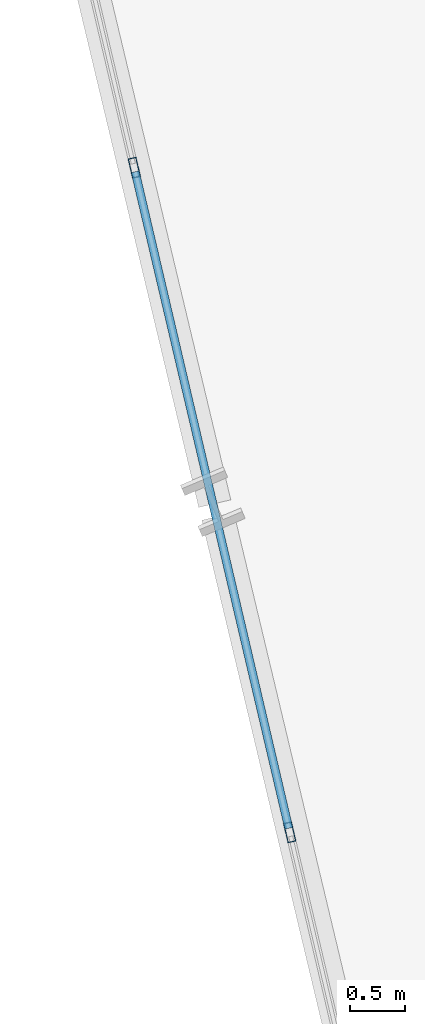
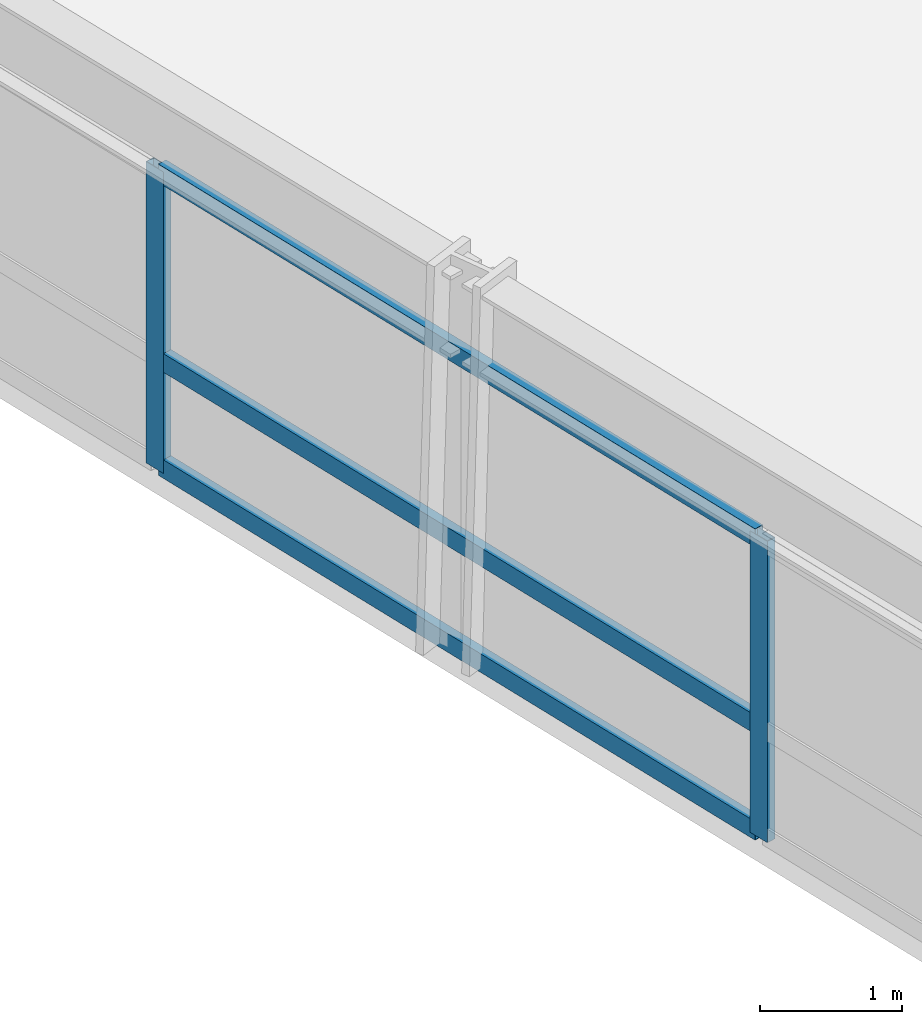
# One storey, part 4 of 24: 5 members, 1 element without a shape of its own.
"""IFC4 building model written with IfcOpenShell, lengths in metres."""

from ifc_helpers import new_model, si_unit, direction, frame, origin, origin_2d, place, context, subcontext, project, spatial, hollow_rectangle, extrude, source, transform, mapped, material, material_profile, profile_set, type_object, element, aggregate, save


model = new_model("IFC4")

# Units and contexts
model_context = context("Model", 3, precision=1e-05, world=origin(), true_north=direction((0.0, 1.0)))
body_context = subcontext(model_context, "Body", "Model", "MODEL_VIEW")
ifc_project = project(units=[si_unit("LENGTHUNIT", "METRE"), si_unit("AREAUNIT", "SQUARE_METRE"), si_unit("VOLUMEUNIT", "CUBIC_METRE"), si_unit("PLANEANGLEUNIT", "RADIAN"), si_unit("MASSUNIT", "GRAM", prefix="KILO")], contexts=[model_context])

# Site, building, storey
site_placement = place(None, origin())
site = spatial("IfcSite", under=ifc_project, at=site_placement, CompositionType="ELEMENT")
building_placement = place(site_placement, origin())
building = spatial("IfcBuilding", under=site, at=building_placement, Name="Olszyna Solenne Hotel", CompositionType="ELEMENT")
storey_placement = place(building_placement, frame((0.0, 0.0, 36.39990234375)))
storey = spatial("IfcBuildingStorey", under=building, at=storey_placement, Name="L08", CompositionType="ELEMENT", Elevation=36.39990234375)

# Curtain wall, members
ifc_material = material(Name="Anodised bronze aluminium", Category="aluminium")
curtain_wall_type = type_object("IfcCurtainWallType", Name="CW-SYS-2", PredefinedType="NOTDEFINED", material=ifc_material)
curtain_wall_placement = place(storey_placement, origin())
curtain_wall = element("IfcCurtainWall", 1, at=curtain_wall_placement, inside=storey, type_object=curtain_wall_type, Name="Unitised curtain wall CW-SYS-2 CW-L08-01", PredefinedType="NOTDEFINED")
ifc_material_profile_1 = material_profile(ifc_material, hollow_rectangle(XDim=0.074951171875, YDim=0.179931640625, WallThickness=0.00439453125, at=origin_2d()), Name="MULL 180x75x4.5", Category="load-bearing")
ifc_profile_set_1 = profile_set([ifc_material_profile_1], Name="Anodised bronze aluminium")
member_type_1 = type_object("IfcMemberType", Name="CW-M2", PredefinedType="MULLION", material=ifc_profile_set_1)
shared_shape_1 = source(origin(), body_context, "Body", "SweptSolid", [
    extrude(hollow_rectangle(XDim=0.074951171875, YDim=0.179931640625, WallThickness=0.00439453125, at=origin_2d()), origin(), (0.0, 0.0, 1.0), 2.592041015625),
])
member_1_placement = place(storey_placement, frame((16.372314453125, 20.777587890625, 0.0), z_axis=(0.0, 0.0, 1.0), x_axis=(0.973710390172, 0.227789543376, 0.0)))
member_1 = element("IfcMember", 2, at=member_1_placement, type_object=member_type_1, Name="Curtain-wall mullion CW-M2 CM-L08-01-02", PredefinedType="MULLION", context=body_context, shape_type="MappedRepresentation", body=[
    mapped(shared_shape_1, transform((0.0, 0.0, 0.0), x_axis=(1.0, 0.0, 0.0), y_axis=(0.0, 1.0, 0.0), z_axis=(0.0, 0.0, 1.0), scale=1.0)),
])
member_2_placement = place(storey_placement, frame((17.7890625, 14.7216796875, 0.0), z_axis=(0.0, 0.0, 1.0), x_axis=(0.973710390172, 0.227789543376, 0.0)))
member_2 = element("IfcMember", 3, at=member_2_placement, type_object=member_type_1, Name="Curtain-wall mullion CW-M2 CM-L08-01-03", PredefinedType="MULLION", context=body_context, shape_type="MappedRepresentation", body=[
    mapped(shared_shape_1, transform((0.0, 0.0, 0.0), x_axis=(1.0, 0.0, 0.0), y_axis=(0.0, 1.0, 0.0), z_axis=(0.0, 0.0, 1.0), scale=1.0)),
])
ifc_material_profile_2 = material_profile(ifc_material, hollow_rectangle(XDim=0.074951171875, YDim=0.159912109375, WallThickness=0.00390625, at=origin_2d()), Name="TRAN 160x75x4", Category="load-bearing")
ifc_profile_set_2 = profile_set([ifc_material_profile_2], Name="Anodised bronze aluminium")
member_type_2 = type_object("IfcMemberType", Name="CW-T1", PredefinedType="USERDEFINED", material=ifc_profile_set_2)
shared_shape_2 = source(origin(), body_context, "Body", "SweptSolid", [
    extrude(hollow_rectangle(XDim=0.074951171875, YDim=0.159912109375, WallThickness=0.00390625, at=origin_2d()), origin(), (0.0, 0.0, 1.0), 6.14453125),
])
member_3_placement = place(storey_placement, frame((16.380859375, 20.740966796875, 0.03759765625), z_axis=(0.227792294812, -0.973709746497, 0.0), x_axis=(0.973709746497, 0.227792294812, 0.0)))
member_3 = element("IfcMember", 4, at=member_3_placement, type_object=member_type_2, Name="Curtain-wall transom CW-T1 CT-L08-01-04", ObjectType="TRANSOM", PredefinedType="USERDEFINED", context=body_context, shape_type="MappedRepresentation", body=[
    mapped(shared_shape_2, transform((0.0, 0.0, 0.0), x_axis=(1.0, 0.0, 0.0), y_axis=(0.0, 1.0, 0.0), z_axis=(0.0, 0.0, 1.0), scale=1.0)),
])
member_4_placement = place(storey_placement, frame((16.380859375, 20.740966796875, 0.9501953125), z_axis=(0.227792294812, -0.973709746497, 0.0), x_axis=(0.973709746497, 0.227792294812, 0.0)))
member_4 = element("IfcMember", 5, at=member_4_placement, type_object=member_type_2, Name="Curtain-wall transom CW-T1 CT-L08-01-05", ObjectType="TRANSOM", PredefinedType="USERDEFINED", context=body_context, shape_type="MappedRepresentation", body=[
    mapped(shared_shape_2, transform((0.0, 0.0, 0.0), x_axis=(1.0, 0.0, 0.0), y_axis=(0.0, 1.0, 0.0), z_axis=(0.0, 0.0, 1.0), scale=1.0)),
])
member_5_placement = place(storey_placement, frame((16.380859375, 20.740966796875, 2.5546875), z_axis=(0.227792294812, -0.973709746497, 0.0), x_axis=(0.973709746497, 0.227792294812, 0.0)))
member_5 = element("IfcMember", 6, at=member_5_placement, type_object=member_type_2, Name="Curtain-wall transom CW-T1 CT-L08-01-06", ObjectType="TRANSOM", PredefinedType="USERDEFINED", context=body_context, shape_type="MappedRepresentation", body=[
    mapped(shared_shape_2, transform((0.0, 0.0, 0.0), x_axis=(1.0, 0.0, 0.0), y_axis=(0.0, 1.0, 0.0), z_axis=(0.0, 0.0, 1.0), scale=1.0)),
])
aggregate(curtain_wall, [member_1, member_2, member_3, member_4, member_5])

save(model, "model.ifc")
